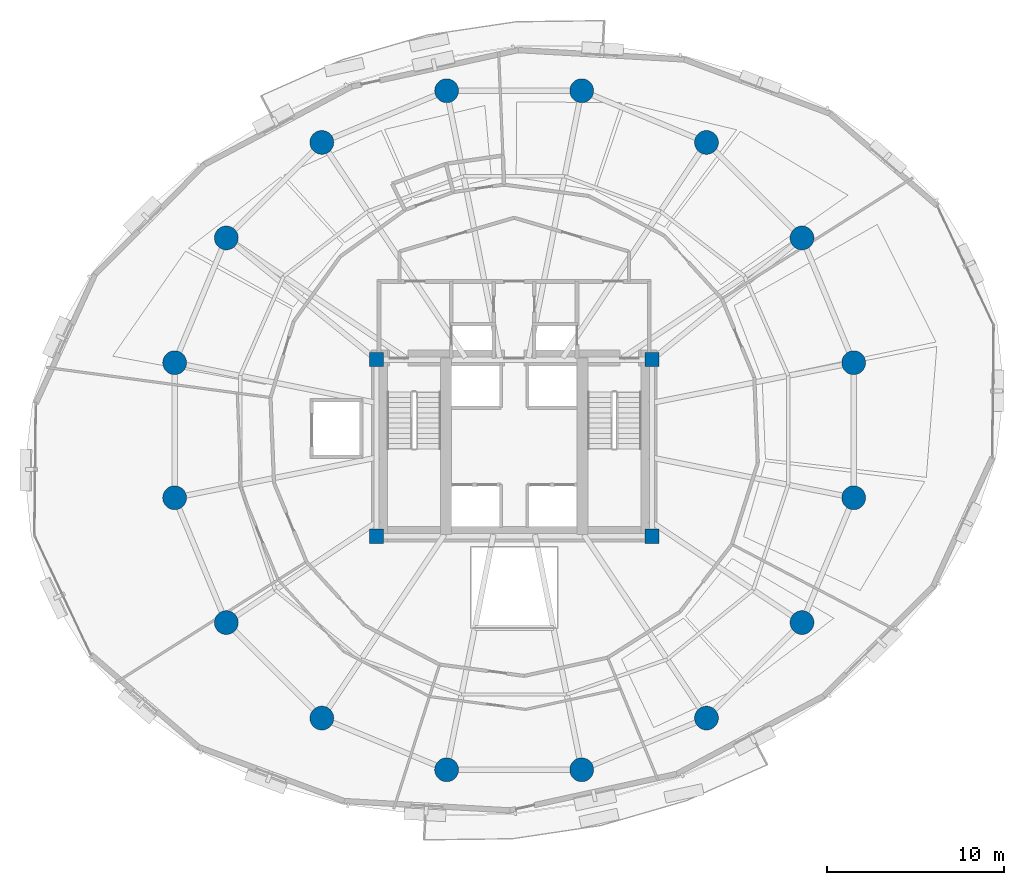
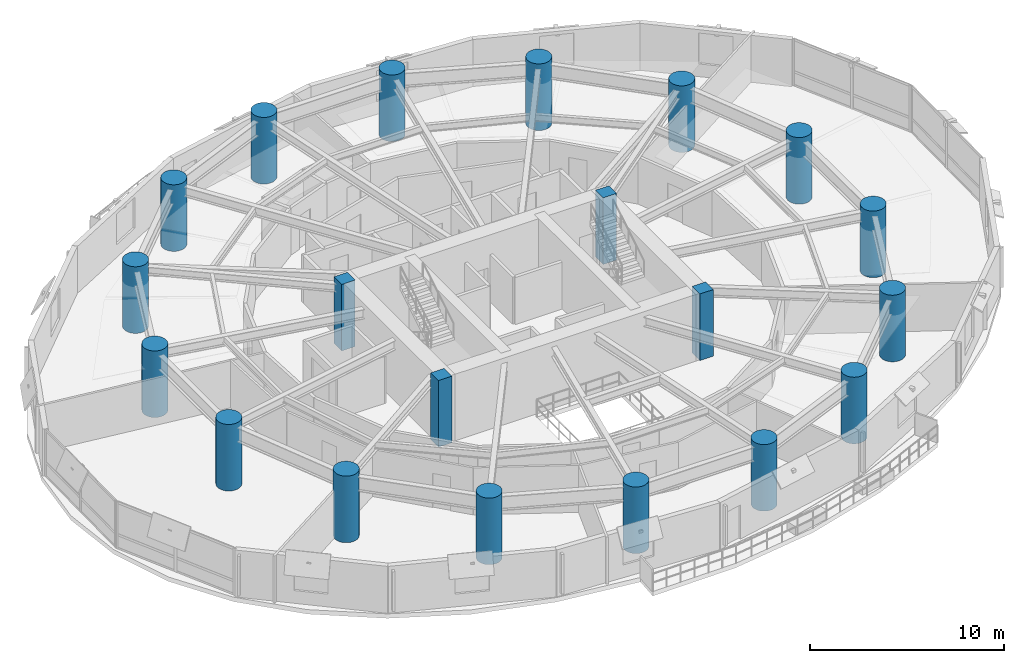
# One storey, part 1 of 17: 20 columns.
"""IFC4 building model written with IfcOpenShell, lengths in metres."""

from ifc_helpers import new_model, si_unit, direction, frame, origin, origin_2d, place, context, subcontext, project, spatial, rectangle, circle, extrude, material, material_profile, profile_set, type_object, element, save


model = new_model("IFC4")

# Units and contexts
model_context = context("Model", 3, precision=1e-05, world=origin(), true_north=direction((0.0, 1.0)))
body_context = subcontext(model_context, "Body", "Model", "MODEL_VIEW")
ifc_project = project(units=[si_unit("LENGTHUNIT", "METRE"), si_unit("AREAUNIT", "SQUARE_METRE"), si_unit("VOLUMEUNIT", "CUBIC_METRE"), si_unit("PLANEANGLEUNIT", "RADIAN"), si_unit("MASSUNIT", "GRAM", prefix="KILO"), si_unit("THERMODYNAMICTEMPERATUREUNIT", "KELVIN"), si_unit("POWERUNIT", "WATT")], contexts=[model_context])

# Site, building, storey
site_placement = place(None, origin())
site = spatial("IfcSite", under=ifc_project, at=site_placement, CompositionType="ELEMENT")
building_placement = place(site_placement, origin())
building = spatial("IfcBuilding", under=site, at=building_placement, Name="Ocrelia Relay Tower", CompositionType="ELEMENT")
storey_placement = place(building_placement, frame((0.0, 0.0, 84.60009765625)))
storey = spatial("IfcBuildingStorey", under=building, at=storey_placement, Name="L19", CompositionType="ELEMENT", Elevation=84.60009765625)

# Columns
ifc_material_1 = material(Name="Concrete C70/85", Category="concrete")
ifc_material_profile_1 = material_profile(ifc_material_1, circle(Radius=0.675048828125, at=origin_2d()), Name="RC-CIR-1350")
ifc_profile_set_1 = profile_set([ifc_material_profile_1], Name="Concrete C70/85")
column_type_1 = type_object("IfcColumnType", Name="COL-CT-1350", PredefinedType="COLUMN", material=ifc_profile_set_1)
for number, where, z_axis, x_axis, name in (
    (1, (53.223388671875, 29.82373046875, 0.0), (0.0, 0.0, 1.0), (1.0, 0.0, 0.0), "L19 Perimeter Ring Column C01"),
    (2, (50.296875, 36.88916015625, 0.0), (0.0, 0.0, 1.0), (1.0, 0.0, 0.0), "L19 Perimeter Ring Column C02"),
    (3, (44.88916015625, 42.296875, 0.0), (0.0, 0.0, 1.0), (1.0, 0.0, 0.0), "L19 Perimeter Ring Column C03"),
    (4, (37.82373046875, 45.223388671875, 0.0), (0.0, 0.0, 1.0), (1.0, 0.0, 0.0), "L19 Perimeter Ring Column C04"),
    (5, (30.17626953125, 45.223388671875, 0.0), (0.0, 0.0, 1.0), (1.0, 0.0, 0.0), "L19 Perimeter Ring Column C05"),
    (6, (23.11083984375, 42.296875, 0.0), (0.0, 0.0, 1.0), (1.0, 0.0, 0.0), "L19 Perimeter Ring Column C06"),
    (7, (17.703125, 36.88916015625, 0.0), (0.0, 0.0, 1.0), (1.0, 0.0, 0.0), "L19 Perimeter Ring Column C07"),
    (8, (14.776611328125, 29.82373046875, 0.0), (0.0, 0.0, 1.0), (1.0, 0.0, 0.0), "L19 Perimeter Ring Column C08"),
    (9, (14.776611328125, 22.17626953125, 0.0), (0.0, 0.0, 1.0), (1.0, 0.0, 0.0), "L19 Perimeter Ring Column C09"),
    (10, (17.703125, 15.11083984375, 0.0), (0.0, 0.0, 1.0), (1.0, 0.0, 0.0), "L19 Perimeter Ring Column C10"),
    (11, (23.11083984375, 9.703125, 0.0), (0.0, 0.0, 1.0), (1.0, 0.0, 0.0), "L19 Perimeter Ring Column C11"),
    (12, (30.17626953125, 6.776611328125, 0.0), (0.0, 0.0, 1.0), (1.0, 0.0, 0.0), "L19 Perimeter Ring Column C12"),
    (13, (37.82373046875, 6.776611328125, 0.0), (0.0, 0.0, 1.0), (1.0, 0.0, 0.0), "L19 Perimeter Ring Column C13"),
    (14, (44.88916015625, 9.703125, 0.0), (0.0, 0.0, 1.0), (1.0, 0.0, 0.0), "L19 Perimeter Ring Column C14"),
    (15, (50.296875, 15.11083984375, 0.0), (0.0, 0.0, 1.0), (1.0, 0.0, 0.0), "L19 Perimeter Ring Column C15"),
    (16, (53.223388671875, 22.17626953125, 0.0), (0.0, 0.0, 1.0), (1.0, 0.0, 0.0), "L19 Perimeter Ring Column C16"),
):
    element("IfcColumn", number, at=place(storey_placement, frame(where, z_axis=z_axis, x_axis=x_axis)), inside=storey, type_object=column_type_1, Name=name, PredefinedType="COLUMN", context=body_context, shape_type="SweptSolid", body=[
        extrude(circle(Radius=0.675048828125, at=origin_2d()), origin(), (0.0, 0.0, 1.0), 4.199951171875),
    ])
ifc_material_2 = material(Name="Concrete C60/75", Category="concrete")
ifc_material_profile_2 = material_profile(ifc_material_2, rectangle(XDim=0.800048828125, YDim=0.800048828125, at=origin_2d()), Name="RC-COL-800x800")
ifc_profile_set_2 = profile_set([ifc_material_profile_2], Name="Concrete C60/75")
column_type_2 = type_object("IfcColumnType", Name="COL-PILASTER-800", PredefinedType="PILASTER", material=ifc_profile_set_2)
for number, where, z_axis, x_axis, name in (
    (17, (26.199951171875, 20.0, 0.0), (0.0, 0.0, 1.0), (1.0, 0.0, 0.0), "L19 Core Corner Pilaster SW"),
    (18, (41.800048828125, 20.0, 0.0), (0.0, 0.0, 1.0), (1.0, 0.0, 0.0), "L19 Core Corner Pilaster SE"),
    (19, (26.199951171875, 30.0, 0.0), (0.0, 0.0, 1.0), (1.0, 0.0, 0.0), "L19 Core Corner Pilaster NW"),
    (20, (41.800048828125, 30.0, 0.0), (0.0, 0.0, 1.0), (1.0, 0.0, 0.0), "L19 Core Corner Pilaster NE"),
):
    element("IfcColumn", number, at=place(storey_placement, frame(where, z_axis=z_axis, x_axis=x_axis)), inside=storey, type_object=column_type_2, Name=name, PredefinedType="PILASTER", context=body_context, shape_type="SweptSolid", body=[
        extrude(rectangle(XDim=0.800048828125, YDim=0.800048828125, at=origin_2d()), origin(), (0.0, 0.0, 1.0), 4.199951171875),
    ])

save(model, "model.ifc")
